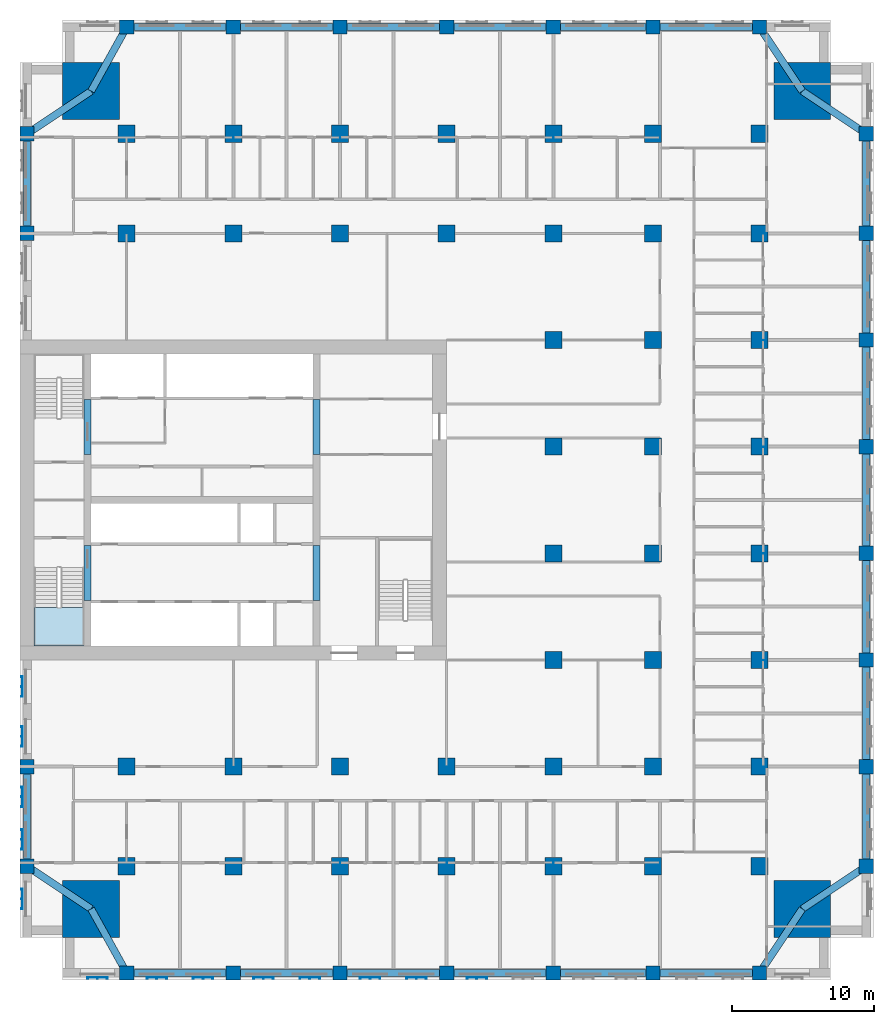
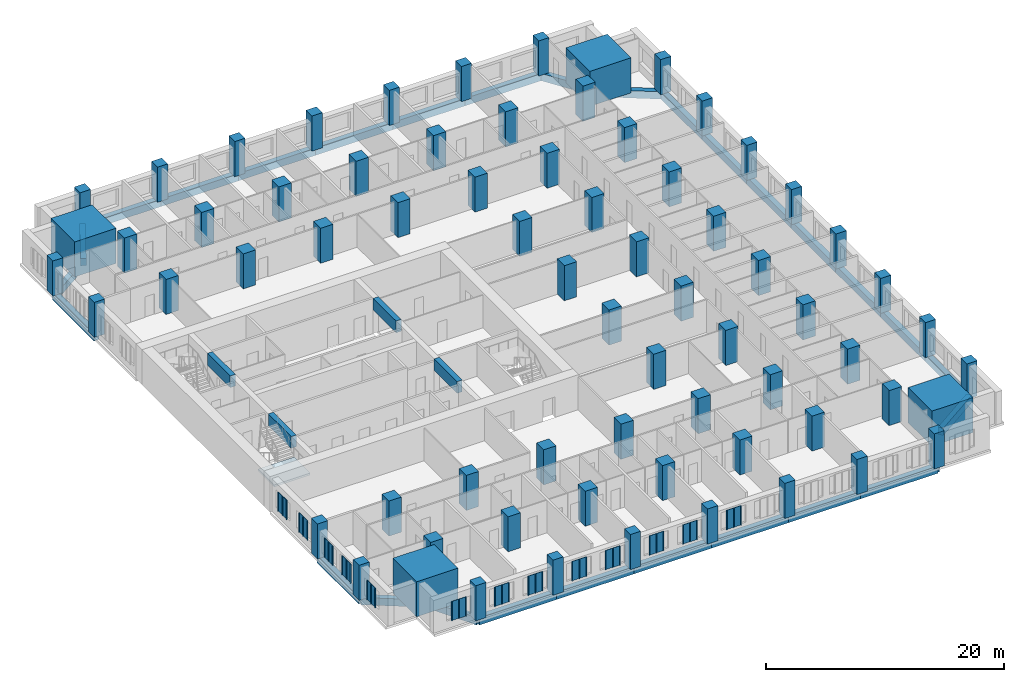
# One storey, part 1 of 15: 70 columns, 33 beams, 13 plates, 1 slab, 1 element without a shape of its own.
"""IFC4 building model written with IfcOpenShell, lengths in metres."""

from ifc_helpers import new_model, si_unit, direction, frame, origin, origin_2d, place, context, subcontext, project, spatial, polyline, rectangle, outline, extrude, material, layer, layer_set, material_profile, profile_set, type_object, element, aggregate, save


model = new_model("IFC4")

# Units and contexts
model_context = context("Model", 3, precision=1e-05, world=origin(), true_north=direction((0.0, 1.0)))
body_context = subcontext(model_context, "Body", "Model", "MODEL_VIEW")
ifc_project = project(units=[si_unit("LENGTHUNIT", "METRE"), si_unit("AREAUNIT", "SQUARE_METRE"), si_unit("VOLUMEUNIT", "CUBIC_METRE"), si_unit("PLANEANGLEUNIT", "RADIAN"), si_unit("MASSUNIT", "GRAM", prefix="KILO")], contexts=[model_context])

# Site, building, storey
site_placement = place(None, origin())
site = spatial("IfcSite", under=ifc_project, at=site_placement, CompositionType="ELEMENT")
building_placement = place(site_placement, origin())
building = spatial("IfcBuilding", under=site, at=building_placement, Name="Tamorin Gate", CompositionType="ELEMENT")
storey_placement = place(building_placement, frame((0.0, 0.0, 62.800048828125)))
storey = spatial("IfcBuildingStorey", under=building, at=storey_placement, Name="L14", CompositionType="ELEMENT", Elevation=62.800048828125)

# Columns
ifc_material_1 = material(Name="Concrete C80/95", Category="concrete")
ifc_material_profile_1 = material_profile(ifc_material_1, rectangle(XDim=1.0, YDim=1.0, at=origin_2d()), Name="RC 1000x1000")
ifc_profile_set_1 = profile_set([ifc_material_profile_1], Name="Concrete C80/95")
column_type_1 = type_object("IfcColumnType", Name="RC column 1000x1000 C80/95", PredefinedType="COLUMN", material=ifc_profile_set_1)
for number, where, z_axis, x_axis, name in (
    (1, (30.5, 45.5, 0.0), (0.0, 0.0, 1.0), (1.0, 0.0, 0.0), "Ring column L14"),
    (2, (30.5, 52.5, 0.0), (0.0, 0.0, 1.0), (1.0, 0.0, 0.0), "Ring column L14"),
    (3, (30.5, 90.0, 0.0), (0.0, 0.0, 1.0), (1.0, 0.0, 0.0), "Ring column L14"),
    (4, (30.5, 97.0, 0.0), (0.0, 0.0, 1.0), (1.0, 0.0, 0.0), "Ring column L14"),
    (5, (37.5, 38.0, 0.0), (0.0, 0.0, 1.0), (1.0, 0.0, 0.0), "Ring column L14"),
    (6, (37.5, 104.5, 0.0), (0.0, 0.0, 1.0), (1.0, 0.0, 0.0), "Ring column L14"),
    (7, (45.0, 38.0, 0.0), (0.0, 0.0, 1.0), (1.0, 0.0, 0.0), "Ring column L14"),
    (8, (45.0, 104.5, 0.0), (0.0, 0.0, 1.0), (1.0, 0.0, 0.0), "Ring column L14"),
    (9, (52.5, 38.0, 0.0), (0.0, 0.0, 1.0), (1.0, 0.0, 0.0), "Ring column L14"),
    (10, (52.5, 104.5, 0.0), (0.0, 0.0, 1.0), (1.0, 0.0, 0.0), "Ring column L14"),
    (11, (60.0, 38.0, 0.0), (0.0, 0.0, 1.0), (1.0, 0.0, 0.0), "Ring column L14"),
    (12, (60.0, 104.5, 0.0), (0.0, 0.0, 1.0), (1.0, 0.0, 0.0), "Ring column L14"),
    (13, (67.5, 38.0, 0.0), (0.0, 0.0, 1.0), (1.0, 0.0, 0.0), "Ring column L14"),
    (14, (67.5, 104.5, 0.0), (0.0, 0.0, 1.0), (1.0, 0.0, 0.0), "Ring column L14"),
    (15, (74.5, 38.0, 0.0), (0.0, 0.0, 1.0), (1.0, 0.0, 0.0), "Ring column L14"),
    (16, (74.5, 104.5, 0.0), (0.0, 0.0, 1.0), (1.0, 0.0, 0.0), "Ring column L14"),
    (17, (82.0, 38.0, 0.0), (0.0, 0.0, 1.0), (1.0, 0.0, 0.0), "Ring column L14"),
    (18, (82.0, 104.5, 0.0), (0.0, 0.0, 1.0), (1.0, 0.0, 0.0), "Ring column L14"),
    (19, (89.5, 45.5, 0.0), (0.0, 0.0, 1.0), (1.0, 0.0, 0.0), "Ring column L14"),
    (20, (89.5, 52.5, 0.0), (0.0, 0.0, 1.0), (1.0, 0.0, 0.0), "Ring column L14"),
    (21, (89.5, 60.0, 0.0), (0.0, 0.0, 1.0), (1.0, 0.0, 0.0), "Ring column L14"),
    (22, (89.5, 67.5, 0.0), (0.0, 0.0, 1.0), (1.0, 0.0, 0.0), "Ring column L14"),
    (23, (89.5, 75.0, 0.0), (0.0, 0.0, 1.0), (1.0, 0.0, 0.0), "Ring column L14"),
    (24, (89.5, 82.5, 0.0), (0.0, 0.0, 1.0), (1.0, 0.0, 0.0), "Ring column L14"),
    (25, (89.5, 90.0, 0.0), (0.0, 0.0, 1.0), (1.0, 0.0, 0.0), "Ring column L14"),
    (26, (89.5, 97.0, 0.0), (0.0, 0.0, 1.0), (1.0, 0.0, 0.0), "Ring column L14"),
):
    element("IfcColumn", number, at=place(storey_placement, frame(where, z_axis=z_axis, x_axis=x_axis)), inside=storey, type_object=column_type_1, Name=name, PredefinedType="COLUMN", context=body_context, shape_type="SweptSolid", body=[
        extrude(rectangle(XDim=1.0, YDim=1.0, at=origin_2d()), origin(), (0.0, 0.0, 1.0), 3.599853515625),
    ])
ifc_material_profile_2 = material_profile(ifc_material_1, rectangle(XDim=1.199951171875, YDim=1.199951171875, at=origin_2d()), Name="RC 1200x1200")
ifc_profile_set_2 = profile_set([ifc_material_profile_2], Name="Concrete C80/95")
column_type_2 = type_object("IfcColumnType", Name="RC column 1200x1200 C80/95", PredefinedType="COLUMN", material=ifc_profile_set_2)
for number, where, z_axis, x_axis, name in (
    (27, (37.5, 45.5, 0.0), (0.0, 0.0, 1.0), (1.0, 0.0, 0.0), "Interior column L14"),
    (28, (37.5, 52.5, 0.0), (0.0, 0.0, 1.0), (1.0, 0.0, 0.0), "Interior column L14"),
    (29, (37.5, 90.0, 0.0), (0.0, 0.0, 1.0), (1.0, 0.0, 0.0), "Interior column L14"),
    (30, (37.5, 97.0, 0.0), (0.0, 0.0, 1.0), (1.0, 0.0, 0.0), "Interior column L14"),
    (31, (45.0, 45.5, 0.0), (0.0, 0.0, 1.0), (1.0, 0.0, 0.0), "Interior column L14"),
    (32, (45.0, 52.5, 0.0), (0.0, 0.0, 1.0), (1.0, 0.0, 0.0), "Interior column L14"),
    (33, (45.0, 90.0, 0.0), (0.0, 0.0, 1.0), (1.0, 0.0, 0.0), "Interior column L14"),
    (34, (45.0, 97.0, 0.0), (0.0, 0.0, 1.0), (1.0, 0.0, 0.0), "Interior column L14"),
    (35, (52.5, 45.5, 0.0), (0.0, 0.0, 1.0), (1.0, 0.0, 0.0), "Interior column L14"),
    (36, (52.5, 52.5, 0.0), (0.0, 0.0, 1.0), (1.0, 0.0, 0.0), "Interior column L14"),
    (37, (52.5, 90.0, 0.0), (0.0, 0.0, 1.0), (1.0, 0.0, 0.0), "Interior column L14"),
    (38, (52.5, 97.0, 0.0), (0.0, 0.0, 1.0), (1.0, 0.0, 0.0), "Interior column L14"),
    (39, (60.0, 45.5, 0.0), (0.0, 0.0, 1.0), (1.0, 0.0, 0.0), "Interior column L14"),
    (40, (60.0, 52.5, 0.0), (0.0, 0.0, 1.0), (1.0, 0.0, 0.0), "Interior column L14"),
    (41, (60.0, 90.0, 0.0), (0.0, 0.0, 1.0), (1.0, 0.0, 0.0), "Interior column L14"),
    (42, (60.0, 97.0, 0.0), (0.0, 0.0, 1.0), (1.0, 0.0, 0.0), "Interior column L14"),
    (43, (67.5, 45.5, 0.0), (0.0, 0.0, 1.0), (1.0, 0.0, 0.0), "Interior column L14"),
    (44, (67.5, 52.5, 0.0), (0.0, 0.0, 1.0), (1.0, 0.0, 0.0), "Interior column L14"),
    (45, (67.5, 60.0, 0.0), (0.0, 0.0, 1.0), (1.0, 0.0, 0.0), "Interior column L14"),
    (46, (67.5, 67.5, 0.0), (0.0, 0.0, 1.0), (1.0, 0.0, 0.0), "Interior column L14"),
    (47, (67.5, 75.0, 0.0), (0.0, 0.0, 1.0), (1.0, 0.0, 0.0), "Interior column L14"),
    (48, (67.5, 82.5, 0.0), (0.0, 0.0, 1.0), (1.0, 0.0, 0.0), "Interior column L14"),
    (49, (67.5, 90.0, 0.0), (0.0, 0.0, 1.0), (1.0, 0.0, 0.0), "Interior column L14"),
    (50, (67.5, 97.0, 0.0), (0.0, 0.0, 1.0), (1.0, 0.0, 0.0), "Interior column L14"),
    (51, (74.5, 45.5, 0.0), (0.0, 0.0, 1.0), (1.0, 0.0, 0.0), "Interior column L14"),
    (52, (74.5, 52.5, 0.0), (0.0, 0.0, 1.0), (1.0, 0.0, 0.0), "Interior column L14"),
    (53, (74.5, 60.0, 0.0), (0.0, 0.0, 1.0), (1.0, 0.0, 0.0), "Interior column L14"),
    (54, (74.5, 67.5, 0.0), (0.0, 0.0, 1.0), (1.0, 0.0, 0.0), "Interior column L14"),
    (55, (74.5, 75.0, 0.0), (0.0, 0.0, 1.0), (1.0, 0.0, 0.0), "Interior column L14"),
    (56, (74.5, 82.5, 0.0), (0.0, 0.0, 1.0), (1.0, 0.0, 0.0), "Interior column L14"),
    (57, (74.5, 90.0, 0.0), (0.0, 0.0, 1.0), (1.0, 0.0, 0.0), "Interior column L14"),
    (58, (74.5, 97.0, 0.0), (0.0, 0.0, 1.0), (1.0, 0.0, 0.0), "Interior column L14"),
    (59, (82.0, 45.5, 0.0), (0.0, 0.0, 1.0), (1.0, 0.0, 0.0), "Interior column L14"),
    (60, (82.0, 52.5, 0.0), (0.0, 0.0, 1.0), (1.0, 0.0, 0.0), "Interior column L14"),
    (61, (82.0, 60.0, 0.0), (0.0, 0.0, 1.0), (1.0, 0.0, 0.0), "Interior column L14"),
    (62, (82.0, 67.5, 0.0), (0.0, 0.0, 1.0), (1.0, 0.0, 0.0), "Interior column L14"),
    (63, (82.0, 75.0, 0.0), (0.0, 0.0, 1.0), (1.0, 0.0, 0.0), "Interior column L14"),
    (64, (82.0, 82.5, 0.0), (0.0, 0.0, 1.0), (1.0, 0.0, 0.0), "Interior column L14"),
    (65, (82.0, 90.0, 0.0), (0.0, 0.0, 1.0), (1.0, 0.0, 0.0), "Interior column L14"),
    (66, (82.0, 97.0, 0.0), (0.0, 0.0, 1.0), (1.0, 0.0, 0.0), "Interior column L14"),
):
    element("IfcColumn", number, at=place(storey_placement, frame(where, z_axis=z_axis, x_axis=x_axis)), inside=storey, type_object=column_type_2, Name=name, PredefinedType="COLUMN", context=body_context, shape_type="SweptSolid", body=[
        extrude(rectangle(XDim=1.199951171875, YDim=1.199951171875, at=origin_2d()), origin(), (0.0, 0.0, 1.0), 3.599853515625),
    ])
ifc_material_profile_3 = material_profile(ifc_material_1, rectangle(XDim=4.0, YDim=4.0, at=origin_2d()), Name="RC 4000x4000")
ifc_profile_set_3 = profile_set([ifc_material_profile_3], Name="Concrete C80/95")
column_type_3 = type_object("IfcColumnType", Name="RC column 4000x4000 C80/95", PredefinedType="COLUMN", material=ifc_profile_set_3)
for number, where, z_axis, x_axis, name in (
    (67, (35.0, 42.5, 0.0), (0.0, 0.0, 1.0), (1.0, 0.0, 0.0), "Mega column SW L14"),
    (68, (85.0, 42.5, 0.0), (0.0, 0.0, 1.0), (1.0, 0.0, 0.0), "Mega column SE L14"),
    (69, (35.0, 100.0, 0.0), (0.0, 0.0, 1.0), (1.0, 0.0, 0.0), "Mega column NW L14"),
    (70, (85.0, 100.0, 0.0), (0.0, 0.0, 1.0), (1.0, 0.0, 0.0), "Mega column NE L14"),
):
    element("IfcColumn", number, at=place(storey_placement, frame(where, z_axis=z_axis, x_axis=x_axis)), inside=storey, type_object=column_type_3, Name=name, PredefinedType="COLUMN", context=body_context, shape_type="SweptSolid", body=[
        extrude(rectangle(XDim=4.0, YDim=4.0, at=origin_2d()), origin(), (0.0, 0.0, 1.0), 3.599853515625),
    ])

# Beams
ifc_material_profile_4 = material_profile(ifc_material_1, rectangle(XDim=0.5, YDim=1.199951171875, at=origin_2d()), Name="RC 500x1200")
ifc_profile_set_4 = profile_set([ifc_material_profile_4], Name="Concrete C80/95")
beam_type_1 = type_object("IfcBeamType", Name="RC coupling beam 500x1200 C80/95", PredefinedType="BEAM", material=ifc_profile_set_4)
for number, where, z_axis, x_axis, name in (
    (71, (34.75, 64.199951171875, 3.0), (0.0, 1.0, 0.0), (-1.0, 0.0, 0.0), "Coupling beam L14"),
    (72, (34.75, 74.449951171875, 3.0), (0.0, 1.0, 0.0), (-1.0, 0.0, 0.0), "Coupling beam L14"),
    (73, (50.85009765625, 64.199951171875, 3.0), (0.0, 1.0, 0.0), (-1.0, 0.0, 0.0), "Coupling beam L14"),
    (74, (50.85009765625, 74.449951171875, 3.0), (0.0, 1.0, 0.0), (-1.0, 0.0, 0.0), "Coupling beam L14"),
):
    element("IfcBeam", number, at=place(storey_placement, frame(where, z_axis=z_axis, x_axis=x_axis)), inside=storey, type_object=beam_type_1, Name=name, PredefinedType="BEAM", context=body_context, shape_type="SweptSolid", body=[
        extrude(rectangle(XDim=0.5, YDim=1.199951171875, at=origin_2d()), origin(), (0.0, 0.0, 1.0), 3.85009765625),
    ])
ifc_material_2 = material(Name="Concrete C50/60", Category="concrete")
ifc_material_profile_5 = material_profile(ifc_material_2, rectangle(XDim=0.5, YDim=0.75, at=origin_2d()), Name="RC 500x750")
ifc_profile_set_5 = profile_set([ifc_material_profile_5], Name="Concrete C50/60")
beam_type_2 = type_object("IfcBeamType", Name="RC spandrel 500x750 C50/60", PredefinedType="BEAM", material=ifc_profile_set_5)
for number, where, z_axis, x_axis, name in (
    (75, (37.5, 38.0, -0.375), (1.0, 0.0, 0.0), (0.0, 1.0, 0.0), "Spandrel beam L14"),
    (76, (45.0, 38.0, -0.375), (1.0, 0.0, 0.0), (0.0, 1.0, 0.0), "Spandrel beam L14"),
    (77, (52.5, 38.0, -0.375), (1.0, 0.0, 0.0), (0.0, 1.0, 0.0), "Spandrel beam L14"),
    (78, (60.0, 38.0, -0.375), (1.0, 0.0, 0.0), (0.0, 1.0, 0.0), "Spandrel beam L14"),
):
    element("IfcBeam", number, at=place(storey_placement, frame(where, z_axis=z_axis, x_axis=x_axis)), inside=storey, type_object=beam_type_2, Name=name, PredefinedType="BEAM", context=body_context, shape_type="SweptSolid", body=[
        extrude(rectangle(XDim=0.5, YDim=0.75, at=origin_2d()), origin(), (0.0, 0.0, 1.0), 7.5),
    ])
beam_1_placement = place(storey_placement, frame((67.5, 38.0, -0.375), z_axis=(1.0, 0.0, 0.0), x_axis=(0.0, 1.0, 0.0)))
element("IfcBeam", 79, at=beam_1_placement, inside=storey, type_object=beam_type_2, Name="Spandrel beam L14", PredefinedType="BEAM", context=body_context, shape_type="SweptSolid", body=[
    extrude(rectangle(XDim=0.5, YDim=0.75, at=origin_2d()), origin(), (0.0, 0.0, 1.0), 7.0),
])
beam_2_placement = place(storey_placement, frame((74.5, 38.0, -0.375), z_axis=(1.0, 0.0, 0.0), x_axis=(0.0, 1.0, 0.0)))
element("IfcBeam", 80, at=beam_2_placement, inside=storey, type_object=beam_type_2, Name="Spandrel beam L14", PredefinedType="BEAM", context=body_context, shape_type="SweptSolid", body=[
    extrude(rectangle(XDim=0.5, YDim=0.75, at=origin_2d()), origin(), (0.0, 0.0, 1.0), 7.5),
])
beam_3_placement = place(storey_placement, frame((89.5, 45.5, -0.375), z_axis=(0.0, 1.0, 0.0), x_axis=(-1.0, 0.0, 0.0)))
element("IfcBeam", 81, at=beam_3_placement, inside=storey, type_object=beam_type_2, Name="Spandrel beam L14", PredefinedType="BEAM", context=body_context, shape_type="SweptSolid", body=[
    extrude(rectangle(XDim=0.5, YDim=0.75, at=origin_2d()), origin(), (0.0, 0.0, 1.0), 7.0),
])
for number, where, z_axis, x_axis, name in (
    (82, (89.5, 52.5, -0.375), (0.0, 1.0, 0.0), (-1.0, 0.0, 0.0), "Spandrel beam L14"),
    (83, (89.5, 60.0, -0.375), (0.0, 1.0, 0.0), (-1.0, 0.0, 0.0), "Spandrel beam L14"),
    (84, (89.5, 67.5, -0.375), (0.0, 1.0, 0.0), (-1.0, 0.0, 0.0), "Spandrel beam L14"),
    (85, (89.5, 75.0, -0.375), (0.0, 1.0, 0.0), (-1.0, 0.0, 0.0), "Spandrel beam L14"),
    (86, (89.5, 82.5, -0.375), (0.0, 1.0, 0.0), (-1.0, 0.0, 0.0), "Spandrel beam L14"),
):
    element("IfcBeam", number, at=place(storey_placement, frame(where, z_axis=z_axis, x_axis=x_axis)), inside=storey, type_object=beam_type_2, Name=name, PredefinedType="BEAM", context=body_context, shape_type="SweptSolid", body=[
        extrude(rectangle(XDim=0.5, YDim=0.75, at=origin_2d()), origin(), (0.0, 0.0, 1.0), 7.5),
    ])
beam_4_placement = place(storey_placement, frame((89.5, 90.0, -0.375), z_axis=(0.0, 1.0, 0.0), x_axis=(-1.0, 0.0, 0.0)))
element("IfcBeam", 87, at=beam_4_placement, inside=storey, type_object=beam_type_2, Name="Spandrel beam L14", PredefinedType="BEAM", context=body_context, shape_type="SweptSolid", body=[
    extrude(rectangle(XDim=0.5, YDim=0.75, at=origin_2d()), origin(), (0.0, 0.0, 1.0), 7.0),
])
beam_5_placement = place(storey_placement, frame((82.0, 104.5, -0.375), z_axis=(-1.0, 0.0, 0.0), x_axis=(0.0, -1.0, 0.0)))
element("IfcBeam", 88, at=beam_5_placement, inside=storey, type_object=beam_type_2, Name="Spandrel beam L14", PredefinedType="BEAM", context=body_context, shape_type="SweptSolid", body=[
    extrude(rectangle(XDim=0.5, YDim=0.75, at=origin_2d()), origin(), (0.0, 0.0, 1.0), 7.5),
])
beam_6_placement = place(storey_placement, frame((74.5, 104.5, -0.375), z_axis=(-1.0, 0.0, 0.0), x_axis=(0.0, -1.0, 0.0)))
element("IfcBeam", 89, at=beam_6_placement, inside=storey, type_object=beam_type_2, Name="Spandrel beam L14", PredefinedType="BEAM", context=body_context, shape_type="SweptSolid", body=[
    extrude(rectangle(XDim=0.5, YDim=0.75, at=origin_2d()), origin(), (0.0, 0.0, 1.0), 7.0),
])
for number, where, z_axis, x_axis, name in (
    (90, (67.5, 104.5, -0.375), (-1.0, 0.0, 0.0), (0.0, -1.0, 0.0), "Spandrel beam L14"),
    (91, (60.0, 104.5, -0.375), (-1.0, 0.0, 0.0), (0.0, -1.0, 0.0), "Spandrel beam L14"),
    (92, (52.5, 104.5, -0.375), (-1.0, 0.0, 0.0), (0.0, -1.0, 0.0), "Spandrel beam L14"),
    (93, (45.0, 104.5, -0.375), (-1.0, 0.0, 0.0), (0.0, -1.0, 0.0), "Spandrel beam L14"),
):
    element("IfcBeam", number, at=place(storey_placement, frame(where, z_axis=z_axis, x_axis=x_axis)), inside=storey, type_object=beam_type_2, Name=name, PredefinedType="BEAM", context=body_context, shape_type="SweptSolid", body=[
        extrude(rectangle(XDim=0.5, YDim=0.75, at=origin_2d()), origin(), (0.0, 0.0, 1.0), 7.5),
    ])
for number, where, z_axis, x_axis, name in (
    (94, (30.5, 97.0, -0.375), (0.0, -1.0, 0.0), (1.0, 0.0, 0.0), "Spandrel beam L14"),
    (95, (30.5, 52.5, -0.375), (0.0, -1.0, 0.0), (1.0, 0.0, 0.0), "Spandrel beam L14"),
):
    element("IfcBeam", number, at=place(storey_placement, frame(where, z_axis=z_axis, x_axis=x_axis)), inside=storey, type_object=beam_type_2, Name=name, PredefinedType="BEAM", context=body_context, shape_type="SweptSolid", body=[
        extrude(rectangle(XDim=0.5, YDim=0.75, at=origin_2d()), origin(), (0.0, 0.0, 1.0), 7.0),
    ])
beam_7_placement = place(storey_placement, frame((35.0, 42.5, -0.375), z_axis=(0.485642931179, -0.874157276122, 0.0), x_axis=(0.874157276122, 0.485642931179, 0.0)))
element("IfcBeam", 96, at=beam_7_placement, inside=storey, type_object=beam_type_2, Name="Corner tie beam L14", PredefinedType="BEAM", context=body_context, shape_type="SweptSolid", body=[
    extrude(rectangle(XDim=0.5, YDim=0.75, at=origin_2d()), origin(), (0.0, 0.0, 1.0), 5.147705078125),
])
for number, where, z_axis, x_axis, name in (
    (97, (35.0, 42.5, -0.375), (-0.832050294338, 0.554700196225, 0.0), (-0.554700196225, -0.832050294338, 0.0), "Corner tie beam L14"),
    (98, (85.0, 42.5, -0.375), (-0.554700196225, -0.832050294338, 0.0), (0.832050294338, -0.554700196225, 0.0), "Corner tie beam L14"),
    (99, (85.0, 42.5, -0.375), (0.832050294338, 0.554700196225, 0.0), (-0.554700196225, 0.832050294338, 0.0), "Corner tie beam L14"),
):
    element("IfcBeam", number, at=place(storey_placement, frame(where, z_axis=z_axis, x_axis=x_axis)), inside=storey, type_object=beam_type_2, Name=name, PredefinedType="BEAM", context=body_context, shape_type="SweptSolid", body=[
        extrude(rectangle(XDim=0.5, YDim=0.75, at=origin_2d()), origin(), (0.0, 0.0, 1.0), 5.408447265625),
    ])
beam_8_placement = place(storey_placement, frame((35.0, 100.0, -0.375), z_axis=(0.485642931179, 0.874157276122, 0.0), x_axis=(-0.874157276122, 0.485642931179, 0.0)))
element("IfcBeam", 100, at=beam_8_placement, inside=storey, type_object=beam_type_2, Name="Corner tie beam L14", PredefinedType="BEAM", context=body_context, shape_type="SweptSolid", body=[
    extrude(rectangle(XDim=0.5, YDim=0.75, at=origin_2d()), origin(), (0.0, 0.0, 1.0), 5.147705078125),
])
for number, where, z_axis, x_axis, name in (
    (101, (35.0, 100.0, -0.375), (-0.832050294338, -0.554700196225, 0.0), (0.554700196225, -0.832050294338, 0.0), "Corner tie beam L14"),
    (102, (85.0, 100.0, -0.375), (-0.554700196225, 0.832050294338, 0.0), (-0.832050294338, -0.554700196225, 0.0), "Corner tie beam L14"),
    (103, (85.0, 100.0, -0.375), (0.832050294338, -0.554700196225, 0.0), (0.554700196225, 0.832050294338, 0.0), "Corner tie beam L14"),
):
    element("IfcBeam", number, at=place(storey_placement, frame(where, z_axis=z_axis, x_axis=x_axis)), inside=storey, type_object=beam_type_2, Name=name, PredefinedType="BEAM", context=body_context, shape_type="SweptSolid", body=[
        extrude(rectangle(XDim=0.5, YDim=0.75, at=origin_2d()), origin(), (0.0, 0.0, 1.0), 5.408447265625),
    ])

# Stair, slab
ifc_material_3 = material(Name="Concrete C40/50", Category="concrete")
stair_type = type_object("IfcStairType", Name="Exit stair", PredefinedType="HALF_TURN_STAIR", material=ifc_material_3)
stair_placement = place(storey_placement, origin())
stair = element("IfcStair", 104, at=stair_placement, inside=storey, type_object=stair_type, Name="L14 stair ST1", PredefinedType="HALF_TURN_STAIR")
ifc_layer_1 = layer(ifc_material_3, 0.199951171875)
ifc_layer_set_1 = layer_set([ifc_layer_1], Name="Exit stair landing 200")
slab_type = type_object("IfcSlabType", Name="Exit stair landing 200", PredefinedType="LANDING", material=ifc_layer_set_1)
slab_placement = place(storey_placement, frame((0.0, 0.0, 1.599853515625)))
slab = element("IfcSlab", 105, at=slab_placement, type_object=slab_type, Name="ST1 landing 1", PredefinedType="LANDING", context=body_context, shape_type="SweptSolid", body=[
    extrude(outline(polyline([(31.0, 63.699951171875), (31.0, 61.0), (34.5, 61.0), (34.5, 63.699951171875), (31.0, 63.699951171875)])), origin(), (0.0, 0.0, 1.0), 0.2001953125),
])
aggregate(stair, [slab])

# Plates
ifc_material_4 = material(Name="Perforated pale aluminium sheet", Category="aluminium")
ifc_layer_2 = layer(ifc_material_4, 0.0400390625)
ifc_layer_set_2 = layer_set([ifc_layer_2], Name="Pale metal solar screen 1440")
plate_type = type_object("IfcPlateType", Name="Pale metal solar screen 1440", PredefinedType="SHEET", material=ifc_layer_set_2)
plate_1_placement = place(storey_placement, frame((0.0, 0.0, 0.7099609375)))
element("IfcPlate", 106, at=plate_1_placement, inside=storey, type_object=plate_type, Name="Perforated solar screen", PredefinedType="SHEET", context=body_context, shape_type="SweptSolid", body=[
    extrude(outline(polyline([(34.72998046875, 37.659912109375), (34.72998046875, 37.699951171875), (34.7900390625, 37.699951171875), (35.419921875, 37.699951171875), (35.47998046875, 37.699951171875), (36.110107421875, 37.699951171875), (36.169921875, 37.699951171875), (36.169921875, 37.659912109375), (36.169921875, 37.60009765625), (36.110107421875, 37.60009765625), (36.110107421875, 37.659912109375), (35.47998046875, 37.659912109375), (35.47998046875, 37.60009765625), (35.419921875, 37.60009765625), (35.419921875, 37.659912109375), (34.7900390625, 37.659912109375), (34.7900390625, 37.60009765625), (34.72998046875, 37.60009765625), (34.72998046875, 37.659912109375)])), origin(), (0.0, 0.0, 1.0), 1.97998046875),
])
plate_2_placement = place(storey_placement, frame((0.0, 0.0, 0.7099609375)))
element("IfcPlate", 107, at=plate_2_placement, inside=storey, type_object=plate_type, Name="Perforated solar screen", PredefinedType="SHEET", context=body_context, shape_type="SweptSolid", body=[
    extrude(outline(polyline([(38.905029296875, 37.659912109375), (38.905029296875, 37.699951171875), (38.965087890625, 37.699951171875), (39.594970703125, 37.699951171875), (39.655029296875, 37.699951171875), (40.284912109375, 37.699951171875), (40.344970703125, 37.699951171875), (40.344970703125, 37.699951171875), (40.344970703125, 37.659912109375), (40.344970703125, 37.659912109375), (40.344970703125, 37.60009765625), (40.284912109375, 37.60009765625), (40.284912109375, 37.659912109375), (39.655029296875, 37.659912109375), (39.655029296875, 37.60009765625), (39.594970703125, 37.60009765625), (39.594970703125, 37.659912109375), (38.965087890625, 37.659912109375), (38.965087890625, 37.60009765625), (38.905029296875, 37.60009765625), (38.905029296875, 37.659912109375)])), origin(), (0.0, 0.0, 1.0), 1.97998046875),
])
plate_3_placement = place(storey_placement, frame((0.0, 0.0, 0.7099609375)))
element("IfcPlate", 108, at=plate_3_placement, inside=storey, type_object=plate_type, Name="Perforated solar screen", PredefinedType="SHEET", context=body_context, shape_type="SweptSolid", body=[
    extrude(outline(polyline([(42.155029296875, 37.659912109375), (42.155029296875, 37.699951171875), (42.215087890625, 37.699951171875), (42.844970703125, 37.699951171875), (42.905029296875, 37.699951171875), (43.534912109375, 37.699951171875), (43.594970703125, 37.699951171875), (43.594970703125, 37.659912109375), (43.594970703125, 37.60009765625), (43.534912109375, 37.60009765625), (43.534912109375, 37.659912109375), (42.905029296875, 37.659912109375), (42.905029296875, 37.60009765625), (42.844970703125, 37.60009765625), (42.844970703125, 37.659912109375), (42.215087890625, 37.659912109375), (42.215087890625, 37.60009765625), (42.155029296875, 37.60009765625), (42.155029296875, 37.659912109375)])), origin(), (0.0, 0.0, 1.0), 1.97998046875),
])
plate_4_placement = place(storey_placement, frame((0.0, 0.0, 0.7099609375)))
element("IfcPlate", 109, at=plate_4_placement, inside=storey, type_object=plate_type, Name="Perforated solar screen", PredefinedType="SHEET", context=body_context, shape_type="SweptSolid", body=[
    extrude(outline(polyline([(46.405029296875, 37.659912109375), (46.405029296875, 37.699951171875), (46.465087890625, 37.699951171875), (47.094970703125, 37.699951171875), (47.155029296875, 37.699951171875), (47.784912109375, 37.699951171875), (47.844970703125, 37.699951171875), (47.844970703125, 37.659912109375), (47.844970703125, 37.60009765625), (47.784912109375, 37.60009765625), (47.784912109375, 37.659912109375), (47.155029296875, 37.659912109375), (47.155029296875, 37.60009765625), (47.094970703125, 37.60009765625), (47.094970703125, 37.659912109375), (46.465087890625, 37.659912109375), (46.465087890625, 37.60009765625), (46.405029296875, 37.60009765625), (46.405029296875, 37.659912109375)])), origin(), (0.0, 0.0, 1.0), 1.97998046875),
])
plate_5_placement = place(storey_placement, frame((0.0, 0.0, 0.7099609375)))
element("IfcPlate", 110, at=plate_5_placement, inside=storey, type_object=plate_type, Name="Perforated solar screen", PredefinedType="SHEET", context=body_context, shape_type="SweptSolid", body=[
    extrude(outline(polyline([(49.655029296875, 37.659912109375), (49.655029296875, 37.699951171875), (49.715087890625, 37.699951171875), (50.344970703125, 37.699951171875), (50.405029296875, 37.699951171875), (51.034912109375, 37.699951171875), (51.094970703125, 37.699951171875), (51.094970703125, 37.659912109375), (51.094970703125, 37.60009765625), (51.034912109375, 37.60009765625), (51.034912109375, 37.659912109375), (50.405029296875, 37.659912109375), (50.405029296875, 37.60009765625), (50.344970703125, 37.60009765625), (50.344970703125, 37.659912109375), (49.715087890625, 37.659912109375), (49.715087890625, 37.60009765625), (49.655029296875, 37.60009765625), (49.655029296875, 37.659912109375)])), origin(), (0.0, 0.0, 1.0), 1.97998046875),
])
plate_6_placement = place(storey_placement, frame((0.0, 0.0, 0.7099609375)))
element("IfcPlate", 111, at=plate_6_placement, inside=storey, type_object=plate_type, Name="Perforated solar screen", PredefinedType="SHEET", context=body_context, shape_type="SweptSolid", body=[
    extrude(outline(polyline([(53.905029296875, 37.659912109375), (53.905029296875, 37.699951171875), (53.965087890625, 37.699951171875), (54.594970703125, 37.699951171875), (54.655029296875, 37.699951171875), (55.284912109375, 37.699951171875), (55.344970703125, 37.699951171875), (55.344970703125, 37.659912109375), (55.344970703125, 37.60009765625), (55.284912109375, 37.60009765625), (55.284912109375, 37.659912109375), (54.655029296875, 37.659912109375), (54.655029296875, 37.60009765625), (54.594970703125, 37.60009765625), (54.594970703125, 37.659912109375), (53.965087890625, 37.659912109375), (53.965087890625, 37.60009765625), (53.905029296875, 37.60009765625), (53.905029296875, 37.659912109375)])), origin(), (0.0, 0.0, 1.0), 1.97998046875),
])
plate_7_placement = place(storey_placement, frame((0.0, 0.0, 0.7099609375)))
element("IfcPlate", 112, at=plate_7_placement, inside=storey, type_object=plate_type, Name="Perforated solar screen", PredefinedType="SHEET", context=body_context, shape_type="SweptSolid", body=[
    extrude(outline(polyline([(57.155029296875, 37.659912109375), (57.155029296875, 37.699951171875), (57.215087890625, 37.699951171875), (57.844970703125, 37.699951171875), (57.905029296875, 37.699951171875), (58.534912109375, 37.699951171875), (58.594970703125, 37.699951171875), (58.594970703125, 37.659912109375), (58.594970703125, 37.60009765625), (58.534912109375, 37.60009765625), (58.534912109375, 37.659912109375), (57.905029296875, 37.659912109375), (57.905029296875, 37.60009765625), (57.844970703125, 37.60009765625), (57.844970703125, 37.659912109375), (57.215087890625, 37.659912109375), (57.215087890625, 37.60009765625), (57.155029296875, 37.60009765625), (57.155029296875, 37.659912109375)])), origin(), (0.0, 0.0, 1.0), 1.97998046875),
])
plate_8_placement = place(storey_placement, frame((0.0, 0.0, 0.7099609375)))
element("IfcPlate", 113, at=plate_8_placement, inside=storey, type_object=plate_type, Name="Perforated solar screen", PredefinedType="SHEET", context=body_context, shape_type="SweptSolid", body=[
    extrude(outline(polyline([(61.405029296875, 37.659912109375), (61.405029296875, 37.699951171875), (61.465087890625, 37.699951171875), (62.094970703125, 37.699951171875), (62.155029296875, 37.699951171875), (62.784912109375, 37.699951171875), (62.844970703125, 37.699951171875), (62.844970703125, 37.659912109375), (62.844970703125, 37.60009765625), (62.784912109375, 37.60009765625), (62.784912109375, 37.659912109375), (62.155029296875, 37.659912109375), (62.155029296875, 37.60009765625), (62.094970703125, 37.60009765625), (62.094970703125, 37.659912109375), (61.465087890625, 37.659912109375), (61.465087890625, 37.60009765625), (61.405029296875, 37.60009765625), (61.405029296875, 37.659912109375)])), origin(), (0.0, 0.0, 1.0), 1.97998046875),
])
plate_9_placement = place(storey_placement, frame((0.0, 0.0, 0.7099609375)))
element("IfcPlate", 114, at=plate_9_placement, inside=storey, type_object=plate_type, Name="Perforated solar screen", PredefinedType="SHEET", context=body_context, shape_type="SweptSolid", body=[
    extrude(outline(polyline([(30.159912109375, 55.344970703125), (30.199951171875, 55.344970703125), (30.199951171875, 55.284912109375), (30.199951171875, 54.655029296875), (30.199951171875, 54.594970703125), (30.199951171875, 53.965087890625), (30.199951171875, 53.905029296875), (30.159912109375, 53.905029296875), (30.10009765625, 53.905029296875), (30.10009765625, 53.965087890625), (30.159912109375, 53.965087890625), (30.159912109375, 54.594970703125), (30.10009765625, 54.594970703125), (30.10009765625, 54.655029296875), (30.159912109375, 54.655029296875), (30.159912109375, 55.284912109375), (30.10009765625, 55.284912109375), (30.10009765625, 55.344970703125), (30.159912109375, 55.344970703125)])), origin(), (0.0, 0.0, 1.0), 1.97998046875),
])
plate_10_placement = place(storey_placement, frame((0.0, 0.0, 0.7099609375)))
element("IfcPlate", 115, at=plate_10_placement, inside=storey, type_object=plate_type, Name="Perforated solar screen", PredefinedType="SHEET", context=body_context, shape_type="SweptSolid", body=[
    extrude(outline(polyline([(30.159912109375, 58.844970703125), (30.199951171875, 58.844970703125), (30.199951171875, 58.784912109375), (30.199951171875, 58.155029296875), (30.199951171875, 58.094970703125), (30.199951171875, 57.465087890625), (30.199951171875, 57.405029296875), (30.159912109375, 57.405029296875), (30.10009765625, 57.405029296875), (30.10009765625, 57.465087890625), (30.159912109375, 57.465087890625), (30.159912109375, 58.094970703125), (30.10009765625, 58.094970703125), (30.10009765625, 58.155029296875), (30.159912109375, 58.155029296875), (30.159912109375, 58.784912109375), (30.10009765625, 58.784912109375), (30.10009765625, 58.844970703125), (30.159912109375, 58.844970703125)])), origin(), (0.0, 0.0, 1.0), 1.97998046875),
])
plate_11_placement = place(storey_placement, frame((0.0, 0.0, 0.7099609375)))
element("IfcPlate", 116, at=plate_11_placement, inside=storey, type_object=plate_type, Name="Perforated solar screen", PredefinedType="SHEET", context=body_context, shape_type="SweptSolid", body=[
    extrude(outline(polyline([(30.159912109375, 48.094970703125), (30.199951171875, 48.094970703125), (30.199951171875, 48.034912109375), (30.199951171875, 47.405029296875), (30.199951171875, 47.344970703125), (30.199951171875, 46.715087890625), (30.199951171875, 46.655029296875), (30.159912109375, 46.655029296875), (30.10009765625, 46.655029296875), (30.10009765625, 46.715087890625), (30.159912109375, 46.715087890625), (30.159912109375, 47.344970703125), (30.10009765625, 47.344970703125), (30.10009765625, 47.405029296875), (30.159912109375, 47.405029296875), (30.159912109375, 48.034912109375), (30.10009765625, 48.034912109375), (30.10009765625, 48.094970703125), (30.159912109375, 48.094970703125)])), origin(), (0.0, 0.0, 1.0), 1.97998046875),
])
plate_12_placement = place(storey_placement, frame((0.0, 0.0, 0.7099609375)))
element("IfcPlate", 117, at=plate_12_placement, inside=storey, type_object=plate_type, Name="Perforated solar screen", PredefinedType="SHEET", context=body_context, shape_type="SweptSolid", body=[
    extrude(outline(polyline([(30.159912109375, 51.094970703125), (30.199951171875, 51.094970703125), (30.199951171875, 51.034912109375), (30.199951171875, 50.405029296875), (30.199951171875, 50.344970703125), (30.199951171875, 49.715087890625), (30.199951171875, 49.655029296875), (30.159912109375, 49.655029296875), (30.10009765625, 49.655029296875), (30.10009765625, 49.715087890625), (30.159912109375, 49.715087890625), (30.159912109375, 50.344970703125), (30.10009765625, 50.344970703125), (30.10009765625, 50.405029296875), (30.159912109375, 50.405029296875), (30.159912109375, 51.034912109375), (30.10009765625, 51.034912109375), (30.10009765625, 51.094970703125), (30.159912109375, 51.094970703125)])), origin(), (0.0, 0.0, 1.0), 1.97998046875),
])
plate_13_placement = place(storey_placement, frame((0.0, 0.0, 0.7099609375)))
element("IfcPlate", 118, at=plate_13_placement, inside=storey, type_object=plate_type, Name="Perforated solar screen", PredefinedType="SHEET", context=body_context, shape_type="SweptSolid", body=[
    extrude(outline(polyline([(30.159912109375, 43.919921875), (30.199951171875, 43.919921875), (30.199951171875, 43.860107421875), (30.199951171875, 43.22998046875), (30.199951171875, 43.169921875), (30.199951171875, 42.5400390625), (30.199951171875, 42.47998046875), (30.159912109375, 42.47998046875), (30.10009765625, 42.47998046875), (30.10009765625, 42.5400390625), (30.159912109375, 42.5400390625), (30.159912109375, 43.169921875), (30.10009765625, 43.169921875), (30.10009765625, 43.22998046875), (30.159912109375, 43.22998046875), (30.159912109375, 43.860107421875), (30.10009765625, 43.860107421875), (30.10009765625, 43.919921875), (30.159912109375, 43.919921875)])), origin(), (0.0, 0.0, 1.0), 1.97998046875),
])

save(model, "model.ifc")
